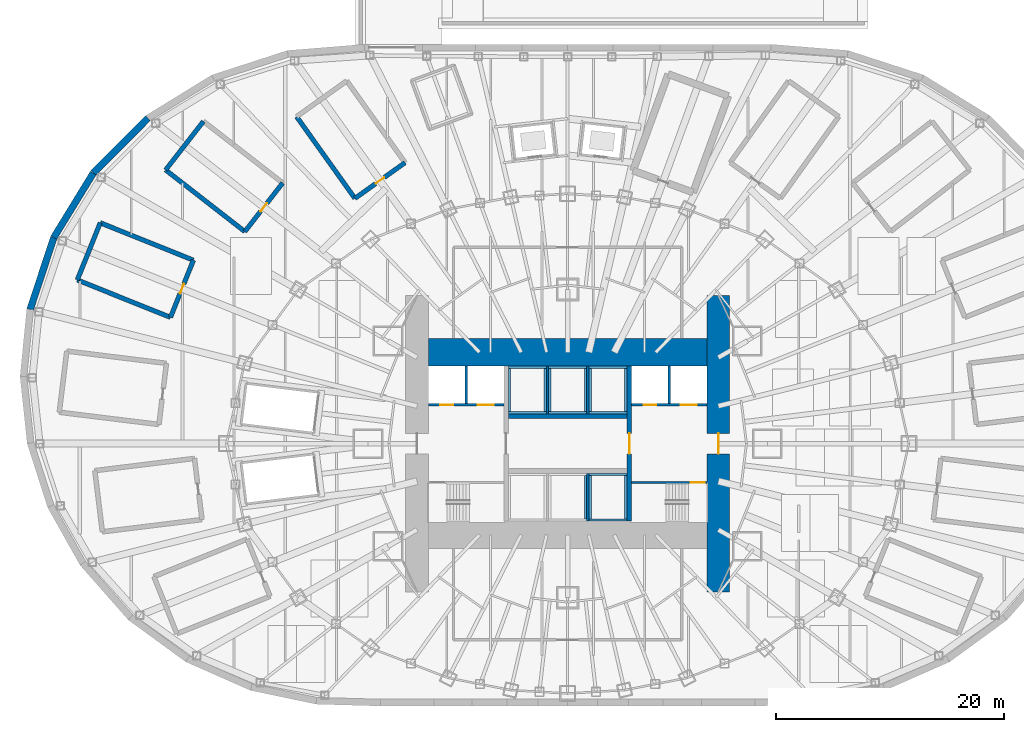
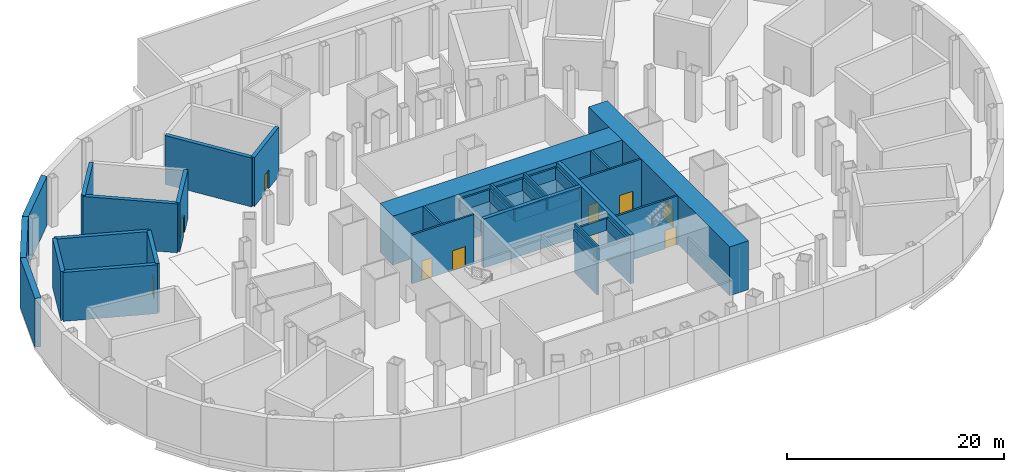
# One storey, part 11 of 19: 41 walls, 10 doors, 10 openings.
"""IFC4 building model written with IfcOpenShell, lengths in metres."""

import ifcopenshell
import ifcopenshell.guid

model = None  # the IFC model being written
_history = None  # IfcOwnerHistory: only IFC2X3 demands one
_inside = {}  # id of a spatial element -> (the spatial element, [elements in it])
_under = {}  # id of a project, library or spatial element -> (it, [spatial elements below it])
_declared = {}  # id of a project -> (the project, [libraries it declares])
_typed = {}  # id of a type object -> (the type object, [elements of that type])
_made_of = {}  # id of a material, layer set ... -> (it, [elements and type objects made of it])


def new_model(schema):
    """Start an empty IFC model of exactly this schema.

    Asked for "IFC4X3", IfcOpenShell would pick the latest addendum, in which some entities
    have other attributes; the version numbers below select the first issue.
    IFC2X3 requires an IfcOwnerHistory on every rooted entity: one is made here for all.
    """
    global model, _history
    if schema == "IFC4X3":
        model = ifcopenshell.file(schema_version=(4, 3, 0, 0))
    else:
        model = ifcopenshell.file(schema=schema)
    _inside.clear()
    _under.clear()
    _declared.clear()
    _typed.clear()
    _made_of.clear()
    _history = None
    if model.schema == "IFC2X3":
        org = make("IfcOrganization", Name="unknown")
        user = make(
            "IfcPersonAndOrganization",
            ThePerson=make("IfcPerson", FamilyName="unknown"),
            TheOrganization=org,
        )
        app = make(
            "IfcApplication",
            ApplicationDeveloper=org,
            Version="unknown",
            ApplicationFullName="unknown",
            ApplicationIdentifier="unknown",
        )
        _history = make(
            "IfcOwnerHistory",
            OwningUser=user,
            OwningApplication=app,
            ChangeAction="ADDED",
            CreationDate=0,
        )
    return model


def make(cls, **values):
    """One entity of the class cls with the attributes given. An attribute that is None is left unset."""
    return model.create_entity(
        cls, **{name: value for name, value in values.items() if value is not None}
    )


def rooted(cls, **values):
    """An entity with a GlobalId (a new one), such as an element, a storey or a relation."""
    return make(cls, GlobalId=ifcopenshell.guid.new(), OwnerHistory=_history, **values)


def si_unit(unit_type, name, prefix=None):
    """IfcSIUnit, for example si_unit("LENGTHUNIT", "METRE", prefix="MILLI")."""
    return make("IfcSIUnit", UnitType=unit_type, Prefix=prefix, Name=name)


def assignment(units):
    """IfcUnitAssignment: the units of a project."""
    return None if units is None else make("IfcUnitAssignment", Units=units)


def point(xyz):
    """IfcCartesianPoint."""
    return None if xyz is None else make("IfcCartesianPoint", Coordinates=xyz)


def direction(xyz):
    """IfcDirection."""
    return None if xyz is None else make("IfcDirection", DirectionRatios=xyz)


def frame(location, z_axis=None, x_axis=None):
    """IfcAxis2Placement3D, a coordinate frame: its origin and axes. An axis left out is left unset."""
    return make(
        "IfcAxis2Placement3D",
        Location=point(location),
        Axis=direction(z_axis),
        RefDirection=direction(x_axis),
    )


def frame_2d(location, x_axis=None):
    """IfcAxis2Placement2D, a coordinate frame in the plane: its origin and x axis."""
    return make(
        "IfcAxis2Placement2D", Location=point(location), RefDirection=direction(x_axis)
    )


def origin():
    """The frame at (0, 0, 0) with its axes left unset."""
    return frame((0.0, 0.0, 0.0))


def place(relative_to, where):
    """IfcLocalPlacement: puts the frame where relative to a parent placement (None: the world)."""
    return make(
        "IfcLocalPlacement", PlacementRelTo=relative_to, RelativePlacement=where
    )


def context(
    kind, dimensions, precision=None, world=None, true_north=None, identifier=None
):
    """IfcGeometricRepresentationContext, for example the 3D "Model" context."""
    return make(
        "IfcGeometricRepresentationContext",
        ContextIdentifier=identifier,
        ContextType=kind,
        CoordinateSpaceDimension=dimensions,
        Precision=precision,
        WorldCoordinateSystem=world,
        TrueNorth=true_north,
    )


def subcontext(parent, identifier, kind, view, scale=None):
    """IfcGeometricRepresentationSubContext, for example "Body" below "Model"."""
    return make(
        "IfcGeometricRepresentationSubContext",
        ContextIdentifier=identifier,
        ContextType=kind,
        ParentContext=parent,
        TargetScale=scale,
        TargetView=view,
    )


def project(units=None, contexts=None):
    """IfcProject with its units and contexts."""
    return rooted(
        "IfcProject",
        Name="project",
        RepresentationContexts=contexts,
        UnitsInContext=assignment(units),
    )


def spatial(cls, under=None, at=None, **own):
    """A site, building, storey or space (cls), placed at a placement, below another one or the project."""
    s = rooted(cls, ObjectPlacement=at, **own)
    if under is not None:
        _under.setdefault(under.id(), (under, []))[1].append(s)
    return s


def profile(cls, at=None, kind="AREA", **sizes):
    """A parametric profile (cls). Its sizes go by their IFC names, for example OverallWidth=200.0."""
    return make(cls, ProfileType=kind, Position=at, **sizes)


def rectangle(**sizes):
    """IfcRectangleProfileDef."""
    return profile("IfcRectangleProfileDef", **sizes)


def extrude(swept, where, along, depth):
    """IfcExtrudedAreaSolid: the profile swept, set in the frame where, extruded along a direction by depth."""
    return make(
        "IfcExtrudedAreaSolid",
        SweptArea=swept,
        Position=where,
        ExtrudedDirection=direction(along),
        Depth=depth,
    )


def shape(context_of_items, identifier, shape_type, items):
    """IfcShapeRepresentation: the items that make up one representation, for example the "Body"."""
    return make(
        "IfcShapeRepresentation",
        ContextOfItems=context_of_items,
        RepresentationIdentifier=identifier,
        RepresentationType=shape_type,
        Items=items,
    )


def material(Name=None, Category=None):
    """IfcMaterial."""
    return make("IfcMaterial", Name=Name, Category=Category)


def layer(
    of_material, thickness, ventilated=None, Name=None, Category=None, Priority=None
):
    """IfcMaterialLayer: one layer of a wall or slab, of a material (None: an air gap)."""
    return make(
        "IfcMaterialLayer",
        Material=of_material,
        LayerThickness=thickness,
        IsVentilated=ventilated,
        Name=Name,
        Category=Category,
        Priority=Priority,
    )


def layer_set(layers, Name=None):
    """IfcMaterialLayerSet."""
    return make("IfcMaterialLayerSet", MaterialLayers=layers, LayerSetName=Name)


def made_of(thing, what):
    """Note that an element or type object is made of a material, layer set ...; save() writes the relation."""
    if what is not None:
        _made_of.setdefault(what.id(), (what, []))[1].append(thing)
    return thing


def type_object(cls, material=None, **own):
    """A type object (cls), such as IfcWallType, which elements share."""
    return made_of(rooted(cls, **own), material)


def element(
    cls,
    number,
    at=None,
    inside=None,
    cuts=None,
    type_object=None,
    material=None,
    context=None,
    identifier="Body",
    shape_type=None,
    held_by="IfcProductDefinitionShape",
    body=None,
    shapes=None,
    **own,
):
    """One element of the class cls, such as IfcWall. Its Tag is "e" and its number.

    at: its placement. inside: the storey or other place that contains it. cuts: it is an
    opening in that element (IfcRelVoidsElement). A single representation is given by context,
    identifier, shape_type and body (its items); several are given by shapes. held_by: the class
    of the entity that holds the representations. save() writes the other relations.
    """
    e = rooted(cls, Tag="e%d" % number, ObjectPlacement=at, **own)
    if body is not None:
        shapes = [shape(context, identifier, shape_type, body)]
    if shapes is not None:
        e.Representation = make(held_by, Representations=shapes)
    if inside is not None:
        _inside.setdefault(inside.id(), (inside, []))[1].append(e)
    if cuts is not None:
        rooted(
            "IfcRelVoidsElement", RelatingBuildingElement=cuts, RelatedOpeningElement=e
        )
    if type_object is not None:
        _typed.setdefault(type_object.id(), (type_object, []))[1].append(e)
    return made_of(e, material)


def fill(opening, filler):
    """IfcRelFillsElement: the door or window that sits in an opening."""
    return rooted(
        "IfcRelFillsElement",
        RelatingOpeningElement=opening,
        RelatedBuildingElement=filler,
    )


def aggregate(whole, parts):
    """IfcRelAggregates: a whole, such as a stair, and the parts it consists of."""
    return rooted("IfcRelAggregates", RelatingObject=whole, RelatedObjects=parts)


def save(model, path):
    """Write the relations noted so far, then the file.

    IfcRelAggregates (storeys below a building ...), IfcRelContainedInSpatialStructure (elements
    in a storey), IfcRelDefinesByType, IfcRelAssociatesMaterial and IfcRelDeclares: one each for
    every whole, place, type object, material and project.
    """
    for whole, parts in _under.values():
        aggregate(whole, parts)
    for where, things in _inside.values():
        rooted(
            "IfcRelContainedInSpatialStructure",
            RelatedElements=things,
            RelatingStructure=where,
        )
    for kind, things in _typed.values():
        rooted("IfcRelDefinesByType", RelatedObjects=things, RelatingType=kind)
    for what, things in _made_of.values():
        rooted("IfcRelAssociatesMaterial", RelatedObjects=things, RelatingMaterial=what)
    for by, libraries in _declared.values():
        rooted("IfcRelDeclares", RelatingContext=by, RelatedDefinitions=libraries)
    model.write(path)


model = new_model("IFC4")

# Units and contexts
model_context = context("Model", 3, precision=1e-05, world=origin(), true_north=direction((0.0, 1.0)))
body_context = subcontext(model_context, "Body", "Model", "MODEL_VIEW")
ifc_project = project(units=[si_unit("LENGTHUNIT", "METRE"), si_unit("AREAUNIT", "SQUARE_METRE"), si_unit("VOLUMEUNIT", "CUBIC_METRE"), si_unit("PLANEANGLEUNIT", "RADIAN"), si_unit("MASSUNIT", "GRAM", prefix="KILO")], contexts=[model_context])

# Site, building, storey
site_placement = place(None, origin())
site = spatial("IfcSite", under=ifc_project, at=site_placement, CompositionType="ELEMENT")
building_placement = place(site_placement, origin())
building = spatial("IfcBuilding", under=site, at=building_placement, Name="Lantaw Convention Tower", CompositionType="ELEMENT")
storey_placement = place(building_placement, frame((0.0, 0.0, -5.5)))
storey = spatial("IfcBuildingStorey", under=building, at=storey_placement, Name="B1", CompositionType="ELEMENT", Elevation=-5.5)

# Walls
ifc_material_1 = material(Name="Concrete C40/50", Category="concrete")
ifc_layer_1 = layer(ifc_material_1, 0.60009765625)
ifc_layer_set_1 = layer_set([ifc_layer_1], Name="Basement wall 600")
wall_type_1 = type_object("IfcWallType", Name="Basement wall 600", PredefinedType="SOLIDWALL", material=ifc_layer_set_1)
wall_1_placement = place(storey_placement, frame((-36.78857421875, 28.51953125, 0.0), z_axis=(0.0, 0.0, 1.0), x_axis=(-0.705901268363, -0.708310242283, 0.0)))
element("IfcWall", 1, at=wall_1_placement, inside=storey, type_object=wall_type_1, Name="Basement retaining wall 20", PredefinedType="SOLIDWALL", context=body_context, shape_type="SweptSolid", body=[
    extrude(rectangle(XDim=6.790283203125, YDim=0.60009765625, at=frame_2d((3.39501953125, 0.0))), origin(), (0.0, 0.0, 1.0), 5.5),
])
wall_2_placement = place(storey_placement, frame((-41.581787109375, 23.7099609375, 0.0), z_axis=(0.0, 0.0, 1.0), x_axis=(-0.522223921517, -0.852808405092, 0.0)))
element("IfcWall", 2, at=wall_2_placement, inside=storey, type_object=wall_type_1, Name="Basement retaining wall 21", PredefinedType="SOLIDWALL", context=body_context, shape_type="SweptSolid", body=[
    extrude(rectangle(XDim=6.620849609375, YDim=0.60009765625, at=frame_2d((3.310546875, 0.0))), origin(), (0.0, 0.0, 1.0), 5.5),
])
wall_3_placement = place(storey_placement, frame((-45.039306640625, 18.063720703125, 0.0), z_axis=(0.0, 0.0, 1.0), x_axis=(-0.312606584294, -0.949882689313, 0.0)))
element("IfcWall", 3, at=wall_3_placement, inside=storey, type_object=wall_type_1, Name="Basement retaining wall 22", PredefinedType="SOLIDWALL", context=body_context, shape_type="SweptSolid", body=[
    extrude(rectangle(XDim=6.638427734375, YDim=0.60009765625, at=frame_2d((3.3193359375, 0.0))), origin(), (0.0, 0.0, 1.0), 5.5),
])

# Wall, opening, door
ifc_material_2 = material(Name="Concrete C60/75", Category="concrete")
ifc_layer_2 = layer(ifc_material_2, 0.199951171875)
ifc_layer_set_2 = layer_set([ifc_layer_2], Name="Core wall 200")
wall_type_2 = type_object("IfcWallType", Name="Core wall 200", PredefinedType="SHEAR", material=ifc_layer_set_2)
wall_4_placement = place(storey_placement, frame((5.60009765625, -3.39990234375, 0.0), z_axis=(0.0, 0.0, 1.0), x_axis=(1.0, 0.0, 0.0)))
wall_4 = element("IfcWall", 4, at=wall_4_placement, inside=storey, type_object=wall_type_2, Name="Core wall ES", PredefinedType="SHEAR", context=body_context, shape_type="SweptSolid", body=[
    extrude(rectangle(XDim=6.599853515625, YDim=0.199951171875, at=frame_2d((3.2998046875, 0.0))), origin(), (0.0, 0.0, 1.0), 5.5),
])
opening_1_placement = place(wall_4_placement, frame((5.199951171875, 0.0, 0.0)))
opening_1 = element("IfcOpeningElement", 5, at=opening_1_placement, cuts=wall_4, Name="Opening B1.03", PredefinedType="OPENING", context=body_context, shape_type="SweptSolid", body=[
    extrude(rectangle(XDim=1.199951171875, YDim=2.10009765625, at=frame_2d((0.60009765625, 1.050048828125))), frame((0.0, 0.10986328125, 0.0), z_axis=(0.0, -1.0, 0.0), x_axis=(1.0, 0.0, 0.0)), (0.0, 0.0, 1.0), 0.219970703125),
])
ifc_material_3 = material(Name="Steel, fire rated", Category="steel")
door_type_1 = type_object("IfcDoorType", Name="Stair door FD90", OperationType="SINGLE_SWING_RIGHT", PredefinedType="DOOR", material=ifc_material_3)
door_1_placement = place(opening_1_placement, origin())
door_1 = element("IfcDoor", 6, at=door_1_placement, inside=storey, type_object=door_type_1, Name="Exit stair door", OperationType="SINGLE_SWING_RIGHT", OverallHeight=2.10009765625, OverallWidth=1.199951171875, PredefinedType="DOOR", context=body_context, shape_type="SweptSolid", body=[
    extrude(rectangle(XDim=1.199951171875, YDim=2.10009765625, at=frame_2d((0.60009765625, 1.050048828125))), frame((0.0, 0.02490234375, 0.0), z_axis=(0.0, -1.0, 0.0), x_axis=(1.0, 0.0, 0.0)), (0.0, 0.0, 1.0), 0.050048828125),
])
fill(opening_1, door_1)

ifc_layer_3 = layer(ifc_material_2, 2.0)
ifc_layer_set_3 = layer_set([ifc_layer_3], Name="Core wall 2000")
wall_type_3 = type_object("IfcWallType", Name="Core wall 2000", PredefinedType="SHEAR", material=ifc_layer_set_3)
wall_5_placement = place(storey_placement, frame((13.199951171875, -13.0, 0.0), z_axis=(0.0, 0.0, 1.0), x_axis=(0.0, 1.0, 0.0)))
wall_5 = element("IfcWall", 7, at=wall_5_placement, inside=storey, type_object=wall_type_3, Name="Core wall E", PredefinedType="SHEAR", context=body_context, shape_type="SweptSolid", body=[
    extrude(rectangle(XDim=26.0, YDim=2.0, at=frame_2d((13.0, 0.0))), origin(), (0.0, 0.0, 1.0), 5.5),
])
opening_2_placement = place(wall_5_placement, frame((12.10009765625, 0.0, 0.0)))
opening_2 = element("IfcOpeningElement", 8, at=opening_2_placement, cuts=wall_5, Name="Opening B1.05", PredefinedType="OPENING", context=body_context, shape_type="SweptSolid", body=[
    extrude(rectangle(XDim=1.800048828125, YDim=2.10009765625, at=frame_2d((0.89990234375, 1.050048828125))), frame((0.0, 1.010009765625, 0.0), z_axis=(0.0, -1.0, 0.0), x_axis=(1.0, 0.0, 0.0)), (0.0, 0.0, 1.0), 2.02001953125),
])
door_type_2 = type_object("IfcDoorType", Name="Lobby double door FD90", OperationType="DOUBLE_DOOR_DOUBLE_SWING", PredefinedType="DOOR", material=ifc_material_3)
door_2_placement = place(opening_2_placement, origin())
door_2 = element("IfcDoor", 9, at=door_2_placement, inside=storey, type_object=door_type_2, Name="Firefighting lobby door", OperationType="DOUBLE_DOOR_DOUBLE_SWING", OverallHeight=2.10009765625, OverallWidth=1.800048828125, PredefinedType="DOOR", context=body_context, shape_type="SweptSolid", body=[
    extrude(rectangle(XDim=1.800048828125, YDim=2.10009765625, at=frame_2d((0.89990234375, 1.050048828125))), frame((0.0, 0.02490234375, 0.0), z_axis=(0.0, -1.0, 0.0), x_axis=(1.0, 0.0, 0.0)), (0.0, 0.0, 1.0), 0.050048828125),
])
fill(opening_2, door_2)

# Wall
ifc_layer_4 = layer(ifc_material_2, 2.39990234375)
ifc_layer_set_4 = layer_set([ifc_layer_4], Name="Core wall 2400")
wall_type_4 = type_object("IfcWallType", Name="Core wall 2400", PredefinedType="SHEAR", material=ifc_layer_set_4)
wall_6_placement = place(storey_placement, frame((12.199951171875, 8.0, 0.0), z_axis=(0.0, 0.0, 1.0), x_axis=(-1.0, 0.0, 0.0)))
element("IfcWall", 10, at=wall_6_placement, inside=storey, type_object=wall_type_4, Name="Core wall N", PredefinedType="SHEAR", context=body_context, shape_type="SweptSolid", body=[
    extrude(rectangle(XDim=24.39990234375, YDim=2.39990234375, at=frame_2d((12.199951171875, 0.0))), origin(), (0.0, 0.0, 1.0), 5.5),
])

# Wall, opening, door
ifc_layer_5 = layer(ifc_material_2, 0.39990234375)
ifc_layer_set_5 = layer_set([ifc_layer_5], Name="Core wall 400")
wall_type_5 = type_object("IfcWallType", Name="Core wall 400", PredefinedType="SHEAR", material=ifc_layer_set_5)
wall_7_placement = place(storey_placement, frame((5.39990234375, -6.800048828125, 0.0), z_axis=(0.0, 0.0, 1.0), x_axis=(0.0, 1.0, 0.0)))
wall_7 = element("IfcWall", 11, at=wall_7_placement, inside=storey, type_object=wall_type_5, Name="Core wall XE", PredefinedType="SHEAR", context=body_context, shape_type="SweptSolid", body=[
    extrude(rectangle(XDim=13.60009765625, YDim=0.39990234375, at=frame_2d((6.800048828125, 0.0))), origin(), (0.0, 0.0, 1.0), 5.5),
])
opening_3_placement = place(wall_7_placement, frame((5.89990234375, 0.0, 0.0)))
opening_3 = element("IfcOpeningElement", 12, at=opening_3_placement, cuts=wall_7, Name="Opening B1.01", PredefinedType="OPENING", context=body_context, shape_type="SweptSolid", body=[
    extrude(rectangle(XDim=1.800048828125, YDim=2.10009765625, at=frame_2d((0.89990234375, 1.050048828125))), frame((0.0, 0.2099609375, 0.0), z_axis=(0.0, -1.0, 0.0), x_axis=(1.0, 0.0, 0.0)), (0.0, 0.0, 1.0), 0.419921875),
])
door_3_placement = place(opening_3_placement, origin())
door_3 = element("IfcDoor", 13, at=door_3_placement, inside=storey, type_object=door_type_2, Name="Lift lobby door", OperationType="DOUBLE_DOOR_DOUBLE_SWING", OverallHeight=2.10009765625, OverallWidth=1.800048828125, PredefinedType="DOOR", context=body_context, shape_type="SweptSolid", body=[
    extrude(rectangle(XDim=1.800048828125, YDim=2.10009765625, at=frame_2d((0.89990234375, 1.050048828125))), frame((0.0, 0.02490234375, 0.0), z_axis=(0.0, -1.0, 0.0), x_axis=(1.0, 0.0, 0.0)), (0.0, 0.0, 1.0), 0.050048828125),
])
fill(opening_3, door_3)

# Walls
wall_8_placement = place(storey_placement, frame((5.199951171875, 2.39990234375, 0.0), z_axis=(0.0, 0.0, 1.0), x_axis=(-1.0, 0.0, 0.0)))
element("IfcWall", 14, at=wall_8_placement, inside=storey, type_object=wall_type_5, Name="Core wall BN", PredefinedType="SHEAR", context=body_context, shape_type="SweptSolid", body=[
    extrude(rectangle(XDim=10.39990234375, YDim=0.39990234375, at=frame_2d((5.199951171875, 0.0))), origin(), (0.0, 0.0, 1.0), 5.5),
])
ifc_layer_6 = layer(ifc_material_1, 0.199951171875)
ifc_layer_set_6 = layer_set([ifc_layer_6], Name="Lift pit wall 200")
wall_type_6 = type_object("IfcWallType", Name="Lift pit wall 200", PredefinedType="SOLIDWALL", material=ifc_layer_set_6)
wall_9_placement = place(storey_placement, frame((-5.199951171875, 2.699951171875, 3.699951171875), z_axis=(0.0, 0.0, 1.0), x_axis=(1.0, 0.0, 0.0)))
element("IfcWall", 15, at=wall_9_placement, inside=storey, type_object=wall_type_6, Name="Lift pit wall", PredefinedType="SOLIDWALL", context=body_context, shape_type="SweptSolid", body=[
    extrude(rectangle(XDim=3.333251953125, YDim=0.199951171875, at=frame_2d((1.66650390625, 0.0))), origin(), (0.0, 0.0, 1.0), 1.35009765625),
])
wall_10_placement = place(storey_placement, frame((-1.966552734375, 2.800048828125, 3.699951171875), z_axis=(0.0, 0.0, 1.0), x_axis=(0.0, 1.0, 0.0)))
element("IfcWall", 16, at=wall_10_placement, inside=storey, type_object=wall_type_6, Name="Lift pit wall", PredefinedType="SOLIDWALL", context=body_context, shape_type="SweptSolid", body=[
    extrude(rectangle(XDim=3.800048828125, YDim=0.199951171875, at=frame_2d((1.89990234375, 0.0))), origin(), (0.0, 0.0, 1.0), 1.35009765625),
])
wall_11_placement = place(storey_placement, frame((-1.86669921875, 6.699951171875, 3.699951171875), z_axis=(0.0, 0.0, 1.0), x_axis=(-1.0, 0.0, 0.0)))
element("IfcWall", 17, at=wall_11_placement, inside=storey, type_object=wall_type_6, Name="Lift pit wall", PredefinedType="SOLIDWALL", context=body_context, shape_type="SweptSolid", body=[
    extrude(rectangle(XDim=3.333251953125, YDim=0.199951171875, at=frame_2d((1.66650390625, 0.0))), origin(), (0.0, 0.0, 1.0), 1.35009765625),
])
wall_12_placement = place(storey_placement, frame((-5.10009765625, 6.60009765625, 3.699951171875), z_axis=(0.0, 0.0, 1.0), x_axis=(0.0, -1.0, 0.0)))
element("IfcWall", 18, at=wall_12_placement, inside=storey, type_object=wall_type_6, Name="Lift pit wall", PredefinedType="SOLIDWALL", context=body_context, shape_type="SweptSolid", body=[
    extrude(rectangle(XDim=3.800048828125, YDim=0.199951171875, at=frame_2d((1.89990234375, 0.0))), origin(), (0.0, 0.0, 1.0), 1.35009765625),
])
wall_13_placement = place(storey_placement, frame((-1.666748046875, 2.699951171875, 3.699951171875), z_axis=(0.0, 0.0, 1.0), x_axis=(1.0, 0.0, 0.0)))
element("IfcWall", 19, at=wall_13_placement, inside=storey, type_object=wall_type_6, Name="Lift pit wall", PredefinedType="SOLIDWALL", context=body_context, shape_type="SweptSolid", body=[
    extrude(rectangle(XDim=3.33349609375, YDim=0.199951171875, at=frame_2d((1.666748046875, 0.0))), origin(), (0.0, 0.0, 1.0), 1.35009765625),
])
wall_14_placement = place(storey_placement, frame((1.566650390625, 2.800048828125, 3.699951171875), z_axis=(0.0, 0.0, 1.0), x_axis=(0.0, 1.0, 0.0)))
element("IfcWall", 20, at=wall_14_placement, inside=storey, type_object=wall_type_6, Name="Lift pit wall", PredefinedType="SOLIDWALL", context=body_context, shape_type="SweptSolid", body=[
    extrude(rectangle(XDim=3.800048828125, YDim=0.199951171875, at=frame_2d((1.89990234375, 0.0))), origin(), (0.0, 0.0, 1.0), 1.35009765625),
])
wall_15_placement = place(storey_placement, frame((1.666748046875, 6.699951171875, 3.699951171875), z_axis=(0.0, 0.0, 1.0), x_axis=(-1.0, 0.0, 0.0)))
element("IfcWall", 21, at=wall_15_placement, inside=storey, type_object=wall_type_6, Name="Lift pit wall", PredefinedType="SOLIDWALL", context=body_context, shape_type="SweptSolid", body=[
    extrude(rectangle(XDim=3.33349609375, YDim=0.199951171875, at=frame_2d((1.666748046875, 0.0))), origin(), (0.0, 0.0, 1.0), 1.35009765625),
])
for number, where, z_axis, x_axis, name in (
    (22, (-1.566650390625, 6.60009765625, 3.699951171875), (0.0, 0.0, 1.0), (0.0, -1.0, 0.0), "Lift pit wall"),
    (23, (1.566650390625, -6.60009765625, 3.699951171875), (0.0, 0.0, 1.0), (0.0, 1.0, 0.0), "Lift pit wall"),
):
    element("IfcWall", number, at=place(storey_placement, frame(where, z_axis=z_axis, x_axis=x_axis)), inside=storey, type_object=wall_type_6, Name=name, PredefinedType="SOLIDWALL", context=body_context, shape_type="SweptSolid", body=[
        extrude(rectangle(XDim=3.800048828125, YDim=0.199951171875, at=frame_2d((1.89990234375, 0.0))), origin(), (0.0, 0.0, 1.0), 1.35009765625),
    ])
wall_16_placement = place(storey_placement, frame((1.86669921875, 2.699951171875, 3.699951171875), z_axis=(0.0, 0.0, 1.0), x_axis=(1.0, 0.0, 0.0)))
element("IfcWall", 24, at=wall_16_placement, inside=storey, type_object=wall_type_6, Name="Lift pit wall", PredefinedType="SOLIDWALL", context=body_context, shape_type="SweptSolid", body=[
    extrude(rectangle(XDim=3.333251953125, YDim=0.199951171875, at=frame_2d((1.66650390625, 0.0))), origin(), (0.0, 0.0, 1.0), 1.35009765625),
])
wall_17_placement = place(storey_placement, frame((5.10009765625, 2.800048828125, 3.699951171875), z_axis=(0.0, 0.0, 1.0), x_axis=(0.0, 1.0, 0.0)))
element("IfcWall", 25, at=wall_17_placement, inside=storey, type_object=wall_type_6, Name="Lift pit wall", PredefinedType="SOLIDWALL", context=body_context, shape_type="SweptSolid", body=[
    extrude(rectangle(XDim=3.800048828125, YDim=0.199951171875, at=frame_2d((1.89990234375, 0.0))), origin(), (0.0, 0.0, 1.0), 1.35009765625),
])
wall_18_placement = place(storey_placement, frame((5.199951171875, 6.699951171875, 3.699951171875), z_axis=(0.0, 0.0, 1.0), x_axis=(-1.0, 0.0, 0.0)))
element("IfcWall", 26, at=wall_18_placement, inside=storey, type_object=wall_type_6, Name="Lift pit wall", PredefinedType="SOLIDWALL", context=body_context, shape_type="SweptSolid", body=[
    extrude(rectangle(XDim=3.333251953125, YDim=0.199951171875, at=frame_2d((1.66650390625, 0.0))), origin(), (0.0, 0.0, 1.0), 1.35009765625),
])
wall_19_placement = place(storey_placement, frame((1.966552734375, 6.60009765625, 3.699951171875), z_axis=(0.0, 0.0, 1.0), x_axis=(0.0, -1.0, 0.0)))
element("IfcWall", 27, at=wall_19_placement, inside=storey, type_object=wall_type_6, Name="Lift pit wall", PredefinedType="SOLIDWALL", context=body_context, shape_type="SweptSolid", body=[
    extrude(rectangle(XDim=3.800048828125, YDim=0.199951171875, at=frame_2d((1.89990234375, 0.0))), origin(), (0.0, 0.0, 1.0), 1.35009765625),
])
wall_20_placement = place(storey_placement, frame((1.86669921875, -6.699951171875, 3.699951171875), z_axis=(0.0, 0.0, 1.0), x_axis=(1.0, 0.0, 0.0)))
element("IfcWall", 28, at=wall_20_placement, inside=storey, type_object=wall_type_6, Name="Lift pit wall", PredefinedType="SOLIDWALL", context=body_context, shape_type="SweptSolid", body=[
    extrude(rectangle(XDim=3.333251953125, YDim=0.199951171875, at=frame_2d((1.66650390625, 0.0))), origin(), (0.0, 0.0, 1.0), 1.35009765625),
])
wall_21_placement = place(storey_placement, frame((5.10009765625, -6.60009765625, 3.699951171875), z_axis=(0.0, 0.0, 1.0), x_axis=(0.0, 1.0, 0.0)))
element("IfcWall", 29, at=wall_21_placement, inside=storey, type_object=wall_type_6, Name="Lift pit wall", PredefinedType="SOLIDWALL", context=body_context, shape_type="SweptSolid", body=[
    extrude(rectangle(XDim=3.800048828125, YDim=0.199951171875, at=frame_2d((1.89990234375, 0.0))), origin(), (0.0, 0.0, 1.0), 1.35009765625),
])
wall_22_placement = place(storey_placement, frame((5.199951171875, -2.699951171875, 3.699951171875), z_axis=(0.0, 0.0, 1.0), x_axis=(-1.0, 0.0, 0.0)))
element("IfcWall", 30, at=wall_22_placement, inside=storey, type_object=wall_type_6, Name="Lift pit wall", PredefinedType="SOLIDWALL", context=body_context, shape_type="SweptSolid", body=[
    extrude(rectangle(XDim=3.333251953125, YDim=0.199951171875, at=frame_2d((1.66650390625, 0.0))), origin(), (0.0, 0.0, 1.0), 1.35009765625),
])
wall_23_placement = place(storey_placement, frame((1.966552734375, -2.800048828125, 3.699951171875), z_axis=(0.0, 0.0, 1.0), x_axis=(0.0, -1.0, 0.0)))
element("IfcWall", 31, at=wall_23_placement, inside=storey, type_object=wall_type_6, Name="Lift pit wall", PredefinedType="SOLIDWALL", context=body_context, shape_type="SweptSolid", body=[
    extrude(rectangle(XDim=3.800048828125, YDim=0.199951171875, at=frame_2d((1.89990234375, 0.0))), origin(), (0.0, 0.0, 1.0), 1.35009765625),
])

# Wall, openings, doors
ifc_material_4 = material(Name="Concrete blockwork, fire rated", Category="masonry")
ifc_layer_7 = layer(ifc_material_4, 0.199951171875)
ifc_layer_set_7 = layer_set([ifc_layer_7], Name="Shaft wall 200")
wall_type_7 = type_object("IfcWallType", Name="Shaft wall 200", PredefinedType="SOLIDWALL", material=ifc_layer_set_7)
wall_24_placement = place(storey_placement, frame((12.199951171875, 3.39990234375, 0.0), z_axis=(0.0, 0.0, 1.0), x_axis=(-1.0, 0.0, 0.0)))
wall_24 = element("IfcWall", 32, at=wall_24_placement, inside=storey, type_object=wall_type_7, Name="Shaft wall EN", PredefinedType="SOLIDWALL", context=body_context, shape_type="SweptSolid", body=[
    extrude(rectangle(XDim=6.599853515625, YDim=0.199951171875, at=frame_2d((3.2998046875, 0.0))), origin(), (0.0, 0.0, 1.0), 5.5),
])
opening_4_placement = place(wall_24_placement, frame((4.449951171875, 0.0, 0.0)))
opening_4 = element("IfcOpeningElement", 33, at=opening_4_placement, cuts=wall_24, Name="Opening B1.09", PredefinedType="OPENING", context=body_context, shape_type="SweptSolid", body=[
    extrude(rectangle(XDim=1.10009765625, YDim=2.199951171875, at=frame_2d((0.550048828125, 1.10009765625))), frame((0.0, 0.10986328125, 0.0), z_axis=(0.0, -1.0, 0.0), x_axis=(1.0, 0.0, 0.0)), (0.0, 0.0, 1.0), 0.219970703125),
])
opening_5_placement = place(wall_24_placement, frame((0.89990234375, 0.0, 0.0)))
opening_5 = element("IfcOpeningElement", 34, at=opening_5_placement, cuts=wall_24, Name="Opening B1.10", PredefinedType="OPENING", context=body_context, shape_type="SweptSolid", body=[
    extrude(rectangle(XDim=1.39990234375, YDim=2.199951171875, at=frame_2d((0.699951171875, 1.10009765625))), frame((0.0, 0.10986328125, 0.0), z_axis=(0.0, -1.0, 0.0), x_axis=(1.0, 0.0, 0.0)), (0.0, 0.0, 1.0), 0.219970703125),
])
ifc_material_5 = material(Name="Stainless steel", Category="steel")
door_type_3 = type_object("IfcDoorType", Name="Lift landing door 1100", OperationType="DOUBLE_DOOR_SLIDING", PredefinedType="DOOR", material=ifc_material_5)
door_4_placement = place(opening_4_placement, origin())
door_4 = element("IfcDoor", 35, at=door_4_placement, inside=storey, type_object=door_type_3, Name="Lift landing door FF2", OperationType="DOUBLE_DOOR_SLIDING", OverallHeight=2.199951171875, OverallWidth=1.10009765625, PredefinedType="DOOR", context=body_context, shape_type="SweptSolid", body=[
    extrude(rectangle(XDim=1.10009765625, YDim=2.199951171875, at=frame_2d((0.550048828125, 1.10009765625))), frame((0.0, 0.02490234375, 0.0), z_axis=(0.0, -1.0, 0.0), x_axis=(1.0, 0.0, 0.0)), (0.0, 0.0, 1.0), 0.050048828125),
])
fill(opening_4, door_4)
door_type_4 = type_object("IfcDoorType", Name="Lift landing door 1400", OperationType="DOUBLE_DOOR_SLIDING", PredefinedType="DOOR", material=ifc_material_5)
door_5_placement = place(opening_5_placement, origin())
door_5 = element("IfcDoor", 36, at=door_5_placement, inside=storey, type_object=door_type_4, Name="Lift landing door SV2", OperationType="DOUBLE_DOOR_SLIDING", OverallHeight=2.199951171875, OverallWidth=1.39990234375, PredefinedType="DOOR", context=body_context, shape_type="SweptSolid", body=[
    extrude(rectangle(XDim=1.39990234375, YDim=2.199951171875, at=frame_2d((0.699951171875, 1.10009765625))), frame((0.0, 0.02490234375, 0.0), z_axis=(0.0, -1.0, 0.0), x_axis=(1.0, 0.0, 0.0)), (0.0, 0.0, 1.0), 0.050048828125),
])
fill(opening_5, door_5)

# Wall
wall_25_placement = place(storey_placement, frame((8.89990234375, 3.5, 0.0), z_axis=(0.0, 0.0, 1.0), x_axis=(0.0, 1.0, 0.0)))
element("IfcWall", 37, at=wall_25_placement, inside=storey, type_object=wall_type_7, Name="Shaft wall ED", PredefinedType="SOLIDWALL", context=body_context, shape_type="SweptSolid", body=[
    extrude(rectangle(XDim=3.300048828125, YDim=0.199951171875, at=frame_2d((1.64990234375, 0.0))), origin(), (0.0, 0.0, 1.0), 5.5),
])

# Wall, openings, doors
wall_26_placement = place(storey_placement, frame((-12.199951171875, 3.39990234375, 0.0), z_axis=(0.0, 0.0, 1.0), x_axis=(1.0, 0.0, 0.0)))
wall_26 = element("IfcWall", 38, at=wall_26_placement, inside=storey, type_object=wall_type_7, Name="Shaft wall WN", PredefinedType="SOLIDWALL", context=body_context, shape_type="SweptSolid", body=[
    extrude(rectangle(XDim=6.599853515625, YDim=0.199951171875, at=frame_2d((3.2998046875, 0.0))), origin(), (0.0, 0.0, 1.0), 5.5),
])
opening_6_placement = place(wall_26_placement, frame((1.050048828125, 0.0, 0.0)))
opening_6 = element("IfcOpeningElement", 39, at=opening_6_placement, cuts=wall_26, Name="Opening B1.07", PredefinedType="OPENING", context=body_context, shape_type="SweptSolid", body=[
    extrude(rectangle(XDim=1.10009765625, YDim=2.199951171875, at=frame_2d((0.550048828125, 1.10009765625))), frame((0.0, 0.10986328125, 0.0), z_axis=(0.0, -1.0, 0.0), x_axis=(1.0, 0.0, 0.0)), (0.0, 0.0, 1.0), 0.219970703125),
])
opening_7_placement = place(wall_26_placement, frame((4.300048828125, 0.0, 0.0)))
opening_7 = element("IfcOpeningElement", 40, at=opening_7_placement, cuts=wall_26, Name="Opening B1.08", PredefinedType="OPENING", context=body_context, shape_type="SweptSolid", body=[
    extrude(rectangle(XDim=1.39990234375, YDim=2.199951171875, at=frame_2d((0.699951171875, 1.10009765625))), frame((0.0, 0.10986328125, 0.0), z_axis=(0.0, -1.0, 0.0), x_axis=(1.0, 0.0, 0.0)), (0.0, 0.0, 1.0), 0.219970703125),
])
door_6_placement = place(opening_6_placement, origin())
door_6 = element("IfcDoor", 41, at=door_6_placement, inside=storey, type_object=door_type_3, Name="Lift landing door FF1", OperationType="DOUBLE_DOOR_SLIDING", OverallHeight=2.199951171875, OverallWidth=1.10009765625, PredefinedType="DOOR", context=body_context, shape_type="SweptSolid", body=[
    extrude(rectangle(XDim=1.10009765625, YDim=2.199951171875, at=frame_2d((0.550048828125, 1.10009765625))), frame((0.0, 0.02490234375, 0.0), z_axis=(0.0, -1.0, 0.0), x_axis=(1.0, 0.0, 0.0)), (0.0, 0.0, 1.0), 0.050048828125),
])
fill(opening_6, door_6)
door_7_placement = place(opening_7_placement, origin())
door_7 = element("IfcDoor", 42, at=door_7_placement, inside=storey, type_object=door_type_4, Name="Lift landing door SV1", OperationType="DOUBLE_DOOR_SLIDING", OverallHeight=2.199951171875, OverallWidth=1.39990234375, PredefinedType="DOOR", context=body_context, shape_type="SweptSolid", body=[
    extrude(rectangle(XDim=1.39990234375, YDim=2.199951171875, at=frame_2d((0.699951171875, 1.10009765625))), frame((0.0, 0.02490234375, 0.0), z_axis=(0.0, -1.0, 0.0), x_axis=(1.0, 0.0, 0.0)), (0.0, 0.0, 1.0), 0.050048828125),
])
fill(opening_7, door_7)

# Walls
wall_27_placement = place(storey_placement, frame((-8.89990234375, 3.5, 0.0), z_axis=(0.0, 0.0, 1.0), x_axis=(0.0, 1.0, 0.0)))
element("IfcWall", 43, at=wall_27_placement, inside=storey, type_object=wall_type_7, Name="Shaft wall WD", PredefinedType="SOLIDWALL", context=body_context, shape_type="SweptSolid", body=[
    extrude(rectangle(XDim=3.300048828125, YDim=0.199951171875, at=frame_2d((1.64990234375, 0.0))), origin(), (0.0, 0.0, 1.0), 5.5),
])
ifc_layer_8 = layer(ifc_material_4, 0.199951171875)
ifc_layer_set_8 = layer_set([ifc_layer_8], Name="Shaft wall 200 load-bearing")
wall_type_8 = type_object("IfcWallType", Name="Shaft wall 200 load-bearing", PredefinedType="SOLIDWALL", material=ifc_layer_set_8)
for number, where, z_axis, x_axis, name in (
    (44, (1.7666015625, -2.60009765625, 0.0), (0.0, 0.0, 1.0), (0.0, -1.0, 0.0), "Shaft wall DS2"),
    (45, (-1.7666015625, 2.60009765625, 0.0), (0.0, 0.0, 1.0), (0.0, 1.0, 0.0), "Shaft wall DN1"),
    (46, (1.7666015625, 2.60009765625, 0.0), (0.0, 0.0, 1.0), (0.0, 1.0, 0.0), "Shaft wall DN2"),
):
    element("IfcWall", number, at=place(storey_placement, frame(where, z_axis=z_axis, x_axis=x_axis)), inside=storey, type_object=wall_type_8, Name=name, PredefinedType="SOLIDWALL", context=body_context, shape_type="SweptSolid", body=[
        extrude(rectangle(XDim=4.199951171875, YDim=0.199951171875, at=frame_2d((2.10009765625, 0.0))), origin(), (0.0, 0.0, 1.0), 5.5),
    ])
ifc_material_6 = material(Name="Concrete C40/50, stair core", Category="concrete")
ifc_layer_9 = layer(ifc_material_6, 0.39990234375)
ifc_layer_set_9 = layer_set([ifc_layer_9], Name="Stair core wall 400 EI 120")
wall_type_9 = type_object("IfcWallType", Name="Stair core wall 400 EI 120", PredefinedType="SHEAR", material=ifc_layer_set_9)
wall_28_placement = place(storey_placement, frame((-23.75732421875, 28.656982421875, 0.0), z_axis=(0.0, 0.0, 1.0), x_axis=(0.580705313356, -0.814113836659, 0.0)))
element("IfcWall", 47, at=wall_28_placement, inside=storey, type_object=wall_type_9, Name="Stair core wall 400", PredefinedType="SHEAR", context=body_context, shape_type="SweptSolid", body=[
    extrude(rectangle(XDim=8.7998046875, YDim=0.39990234375, at=frame_2d((4.39990234375, 0.0))), origin(), (0.0, 0.0, 1.0), 5.5),
])

# Wall, opening, door
wall_29_placement = place(storey_placement, frame((-18.647216796875, 21.492919921875, 0.0), z_axis=(0.0, 0.0, 1.0), x_axis=(0.814121252423, 0.580694916762, 0.0)))
wall_29 = element("IfcWall", 48, at=wall_29_placement, inside=storey, type_object=wall_type_9, Name="Stair core wall 400", PredefinedType="SHEAR", context=body_context, shape_type="SweptSolid", body=[
    extrude(rectangle(XDim=5.39990234375, YDim=0.39990234375, at=frame_2d((2.699951171875, 0.0))), origin(), (0.0, 0.0, 1.0), 5.5),
])
opening_8_placement = place(wall_29_placement, frame((2.25, 0.0, 0.0)))
opening_8 = element("IfcOpeningElement", 49, at=opening_8_placement, cuts=wall_29, Name="Opening B1.18", PredefinedType="OPENING", context=body_context, shape_type="SweptSolid", body=[
    extrude(rectangle(XDim=0.89990234375, YDim=2.10009765625, at=frame_2d((0.449951171875, 1.050048828125))), frame((0.0, 0.2099609375, 0.0), z_axis=(0.0, -1.0, 0.0), x_axis=(1.0, 0.0, 0.0)), (0.0, 0.0, 1.0), 0.419921875),
])
door_type_5 = type_object("IfcDoorType", Name="Store door 900 FD60", OperationType="SINGLE_SWING_LEFT", PredefinedType="DOOR", material=ifc_material_3)
door_8_placement = place(opening_8_placement, origin())
door_8 = element("IfcDoor", 50, at=door_8_placement, inside=storey, type_object=door_type_5, Name="Store door", OperationType="SINGLE_SWING_LEFT", OverallHeight=2.10009765625, OverallWidth=0.89990234375, PredefinedType="DOOR", context=body_context, shape_type="SweptSolid", body=[
    extrude(rectangle(XDim=0.89990234375, YDim=2.10009765625, at=frame_2d((0.449951171875, 1.050048828125))), frame((0.0, 0.02490234375, 0.0), z_axis=(0.0, -1.0, 0.0), x_axis=(1.0, 0.0, 0.0)), (0.0, 0.0, 1.0), 0.050048828125),
])
fill(opening_8, door_8)

# Walls
wall_30_placement = place(storey_placement, frame((-31.924072265625, 28.248046875, 0.0), z_axis=(0.0, 0.0, 1.0), x_axis=(-0.613912443548, -0.789374126544, 0.0)))
element("IfcWall", 51, at=wall_30_placement, inside=storey, type_object=wall_type_9, Name="Stair core wall 400", PredefinedType="SHEAR", context=body_context, shape_type="SweptSolid", body=[
    extrude(rectangle(XDim=5.400146484375, YDim=0.39990234375, at=frame_2d((2.7001953125, 0.0))), origin(), (0.0, 0.0, 1.0), 5.5),
])
wall_31_placement = place(storey_placement, frame((-35.2392578125, 23.9853515625, 0.0), z_axis=(0.0, 0.0, 1.0), x_axis=(0.78938060008, -0.613904119726, 0.0)))
element("IfcWall", 52, at=wall_31_placement, inside=storey, type_object=wall_type_9, Name="Stair core wall 400", PredefinedType="SHEAR", context=body_context, shape_type="SweptSolid", body=[
    extrude(rectangle(XDim=8.800048828125, YDim=0.39990234375, at=frame_2d((4.39990234375, 0.0))), origin(), (0.0, 0.0, 1.0), 5.5),
])

# Wall, opening, door
wall_32_placement = place(storey_placement, frame((-28.292724609375, 18.5830078125, 0.0), z_axis=(0.0, 0.0, 1.0), x_axis=(0.613912443548, 0.789374126544, 0.0)))
wall_32 = element("IfcWall", 53, at=wall_32_placement, inside=storey, type_object=wall_type_9, Name="Stair core wall 400", PredefinedType="SHEAR", context=body_context, shape_type="SweptSolid", body=[
    extrude(rectangle(XDim=5.400146484375, YDim=0.39990234375, at=frame_2d((2.7001953125, 0.0))), origin(), (0.0, 0.0, 1.0), 5.5),
])
opening_9_placement = place(wall_32_placement, frame((2.25, 0.0, 0.0)))
opening_9 = element("IfcOpeningElement", 54, at=opening_9_placement, cuts=wall_32, Name="Opening B1.19", PredefinedType="OPENING", context=body_context, shape_type="SweptSolid", body=[
    extrude(rectangle(XDim=0.89990234375, YDim=2.10009765625, at=frame_2d((0.449951171875, 1.050048828125))), frame((0.0, 0.2099609375, 0.0), z_axis=(0.0, -1.0, 0.0), x_axis=(1.0, 0.0, 0.0)), (0.0, 0.0, 1.0), 0.419921875),
])
door_9_placement = place(opening_9_placement, origin())
door_9 = element("IfcDoor", 55, at=door_9_placement, inside=storey, type_object=door_type_5, Name="Store door", OperationType="SINGLE_SWING_LEFT", OverallHeight=2.10009765625, OverallWidth=0.89990234375, PredefinedType="DOOR", context=body_context, shape_type="SweptSolid", body=[
    extrude(rectangle(XDim=0.89990234375, YDim=2.10009765625, at=frame_2d((0.449951171875, 1.050048828125))), frame((0.0, 0.02490234375, 0.0), z_axis=(0.0, -1.0, 0.0), x_axis=(1.0, 0.0, 0.0)), (0.0, 0.0, 1.0), 0.050048828125),
])
fill(opening_9, door_9)

# Walls
wall_33_placement = place(storey_placement, frame((-32.800048828125, 16.07666015625, 0.0), z_axis=(0.0, 0.0, 1.0), x_axis=(-0.92801678004, 0.372538395288, 0.0)))
element("IfcWall", 56, at=wall_33_placement, inside=storey, type_object=wall_type_9, Name="Stair core wall 400", PredefinedType="SHEAR", context=body_context, shape_type="SweptSolid", body=[
    extrude(rectangle(XDim=8.800048828125, YDim=0.39990234375, at=frame_2d((4.39990234375, 0.0))), origin(), (0.0, 0.0, 1.0), 5.5),
])
wall_34_placement = place(storey_placement, frame((-40.966552734375, 19.35498046875, 0.0), z_axis=(0.0, 0.0, 1.0), x_axis=(-0.372544066459, -0.928014503414, 0.0)))
element("IfcWall", 57, at=wall_34_placement, inside=storey, type_object=wall_type_9, Name="Stair core wall 400", PredefinedType="SHEAR", context=body_context, shape_type="SweptSolid", body=[
    extrude(rectangle(XDim=5.39990234375, YDim=0.39990234375, at=frame_2d((2.699951171875, 0.0))), origin(), (0.0, 0.0, 1.0), 5.5),
])
wall_35_placement = place(storey_placement, frame((-42.978271484375, 14.34375, 0.0), z_axis=(0.0, 0.0, 1.0), x_axis=(0.92801678004, -0.372538395288, 0.0)))
element("IfcWall", 58, at=wall_35_placement, inside=storey, type_object=wall_type_9, Name="Stair core wall 400", PredefinedType="SHEAR", context=body_context, shape_type="SweptSolid", body=[
    extrude(rectangle(XDim=8.800048828125, YDim=0.39990234375, at=frame_2d((4.39990234375, 0.0))), origin(), (0.0, 0.0, 1.0), 5.5),
])

# Wall, opening, door
wall_36_placement = place(storey_placement, frame((-34.811767578125, 11.0654296875, 0.0), z_axis=(0.0, 0.0, 1.0), x_axis=(0.372544066459, 0.928014503414, 0.0)))
wall_36 = element("IfcWall", 59, at=wall_36_placement, inside=storey, type_object=wall_type_9, Name="Stair core wall 400", PredefinedType="SHEAR", context=body_context, shape_type="SweptSolid", body=[
    extrude(rectangle(XDim=5.39990234375, YDim=0.39990234375, at=frame_2d((2.699951171875, 0.0))), origin(), (0.0, 0.0, 1.0), 5.5),
])
opening_10_placement = place(wall_36_placement, frame((2.25, 0.0, 0.0)))
opening_10 = element("IfcOpeningElement", 60, at=opening_10_placement, cuts=wall_36, Name="Opening B1.20", PredefinedType="OPENING", context=body_context, shape_type="SweptSolid", body=[
    extrude(rectangle(XDim=0.89990234375, YDim=2.10009765625, at=frame_2d((0.449951171875, 1.050048828125))), frame((0.0, 0.2099609375, 0.0), z_axis=(0.0, -1.0, 0.0), x_axis=(1.0, 0.0, 0.0)), (0.0, 0.0, 1.0), 0.419921875),
])
door_10_placement = place(opening_10_placement, origin())
door_10 = element("IfcDoor", 61, at=door_10_placement, inside=storey, type_object=door_type_5, Name="Store door", OperationType="SINGLE_SWING_LEFT", OverallHeight=2.10009765625, OverallWidth=0.89990234375, PredefinedType="DOOR", context=body_context, shape_type="SweptSolid", body=[
    extrude(rectangle(XDim=0.89990234375, YDim=2.10009765625, at=frame_2d((0.449951171875, 1.050048828125))), frame((0.0, 0.02490234375, 0.0), z_axis=(0.0, -1.0, 0.0), x_axis=(1.0, 0.0, 0.0)), (0.0, 0.0, 1.0), 0.050048828125),
])
fill(opening_10, door_10)

save(model, "model.ifc")
